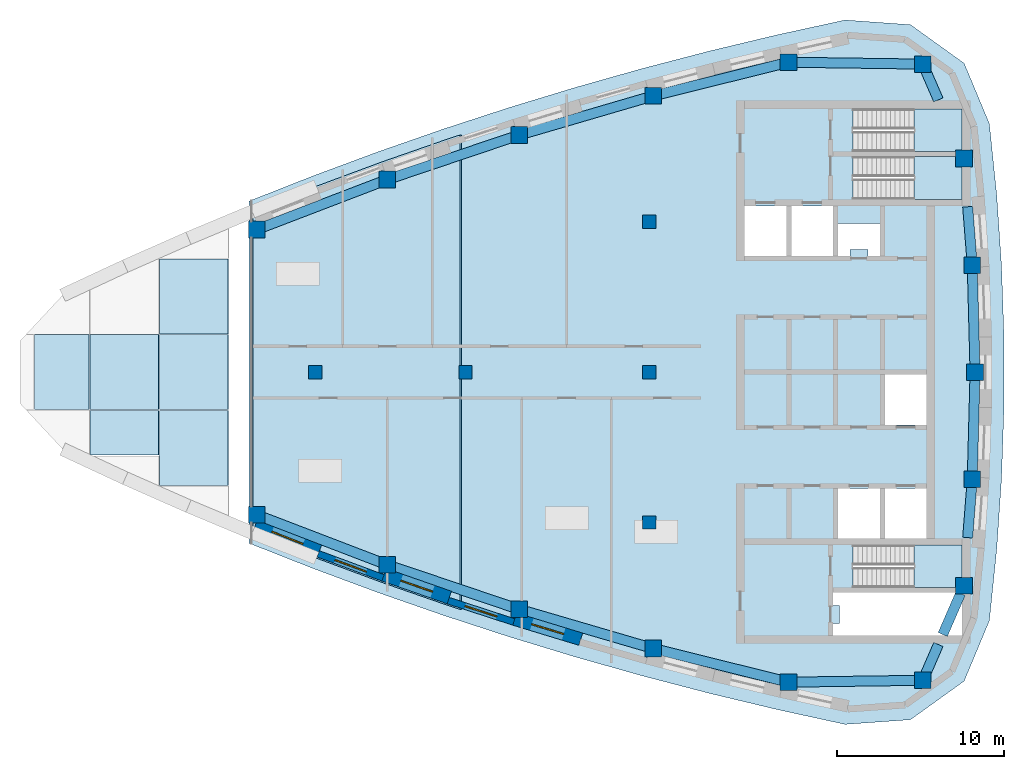
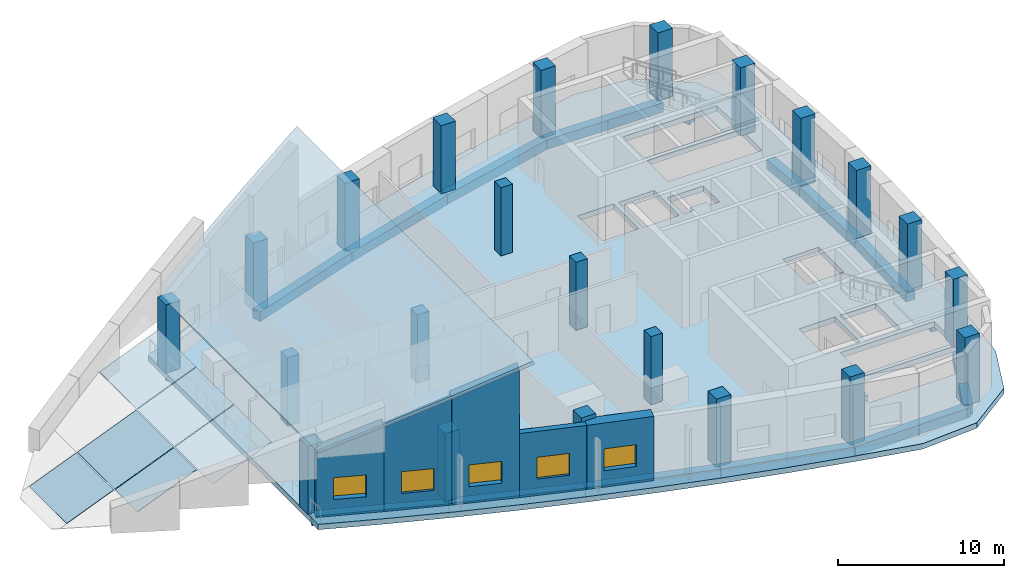
# One storey, part 1 of 8: 22 columns, 17 beams, 6 plates, 5 slabs, 5 walls, 5 windows, 7 openings, 6 elements without a shape of their own.
"""IFC4 building model written with IfcOpenShell, lengths in metres."""

from ifc_helpers import new_model, si_unit, direction, frame, frame_2d, origin, origin_2d, place, context, subcontext, project, spatial, polyline, rectangle, outline, extrude, material, layer, layer_set, material_profile, profile_set, type_object, element, fill, aggregate, save


model = new_model("IFC4")

# Units and contexts
model_context = context("Model", 3, precision=1e-05, world=origin(), true_north=direction((0.0, 1.0)))
body_context = subcontext(model_context, "Body", "Model", "MODEL_VIEW")
ifc_project = project(units=[si_unit("LENGTHUNIT", "METRE"), si_unit("AREAUNIT", "SQUARE_METRE"), si_unit("VOLUMEUNIT", "CUBIC_METRE"), si_unit("PLANEANGLEUNIT", "RADIAN"), si_unit("MASSUNIT", "GRAM", prefix="KILO")], contexts=[model_context])

# Site, building, storey
site_placement = place(None, origin())
site = spatial("IfcSite", under=ifc_project, at=site_placement, CompositionType="ELEMENT")
building_placement = place(site_placement, origin())
building = spatial("IfcBuilding", under=site, at=building_placement, Name="Ostrand Prow Hotel Tower", CompositionType="ELEMENT")
storey_placement = place(building_placement, frame((0.0, 0.0, 327.39990234375)))
storey = spatial("IfcBuildingStorey", under=building, at=storey_placement, Name="C5", CompositionType="ELEMENT", Elevation=327.39990234375)

# Columns
ifc_material_1 = material(Name="Concrete C40/50", Category="concrete")
ifc_material_profile_1 = material_profile(ifc_material_1, rectangle(XDim=0.800048828125, YDim=0.800048828125, at=origin_2d()), Name="RC 800x800")
ifc_profile_set_1 = profile_set([ifc_material_profile_1], Name="Concrete C40/50")
column_type_1 = type_object("IfcColumnType", Name="Interior column 800x800 C40/50", PredefinedType="COLUMN", material=ifc_profile_set_1)
for number, where, z_axis, x_axis, name in (
    (1, (25.0, 0.0, 0.0), (0.0, 0.0, 1.0), (1.0, 0.0, 0.0), "Interior column 25C0"),
    (2, (34.0, 0.0, 0.0), (0.0, 0.0, 1.0), (1.0, 0.0, 0.0), "Interior column 34C0"),
    (3, (45.0, -9.0, 0.0), (0.0, 0.0, 1.0), (1.0, 0.0, 0.0), "Interior column 45S9"),
    (4, (45.0, 0.0, 0.0), (0.0, 0.0, 1.0), (1.0, 0.0, 0.0), "Interior column 45C0"),
    (5, (45.0, 9.0, 0.0), (0.0, 0.0, 1.0), (1.0, 0.0, 0.0), "Interior column 45N9"),
):
    element("IfcColumn", number, at=place(storey_placement, frame(where, z_axis=z_axis, x_axis=x_axis)), inside=storey, type_object=column_type_1, Name=name, PredefinedType="COLUMN", context=body_context, shape_type="SweptSolid", body=[
        extrude(rectangle(XDim=0.800048828125, YDim=0.800048828125, at=origin_2d()), origin(), (0.0, 0.0, 1.0), 5.0),
    ])
ifc_material_2 = material(Name="Concrete C40/50", Category="concrete")
ifc_material_profile_2 = material_profile(ifc_material_2, rectangle(XDim=1.0, YDim=1.0, at=origin_2d()), Name="RC 1000x1000")
ifc_profile_set_2 = profile_set([ifc_material_profile_2], Name="Concrete C40/50")
column_type_2 = type_object("IfcColumnType", Name="Stone-faced mega column 1000x1000 C40/50", PredefinedType="COLUMN", material=ifc_profile_set_2)
for number, where, z_axis, x_axis, name in (
    (6, (21.51416015625, -8.5400390625, 0.0), (0.0, 0.0, 1.0), (1.0, 0.0, 0.0), "Mega column S2"),
    (7, (29.31005859375, -11.528076171875, 0.0), (0.0, 0.0, 1.0), (1.0, 0.0, 0.0), "Mega column S3"),
    (8, (37.22119140625, -14.19580078125, 0.0), (0.0, 0.0, 1.0), (1.0, 0.0, 0.0), "Mega column S4"),
    (9, (45.234619140625, -16.53857421875, 0.0), (0.0, 0.0, 1.0), (1.0, 0.0, 0.0), "Mega column S5"),
    (10, (53.3369140625, -18.552978515625, 0.0), (0.0, 0.0, 1.0), (1.0, 0.0, 0.0), "Mega column S6"),
    (11, (61.374267578125, -18.439697265625, 0.0), (0.0, 0.0, 1.0), (1.0, 0.0, 0.0), "Mega column SE"),
    (12, (63.831787109375, -12.7890625, 0.0), (0.0, 0.0, 1.0), (1.0, 0.0, 0.0), "Mega column B1"),
    (13, (64.332763671875, -6.4033203125, 0.0), (0.0, 0.0, 1.0), (1.0, 0.0, 0.0), "Mega column B2"),
    (14, (64.5, 0.0, 0.0), (0.0, 0.0, 1.0), (1.0, 0.0, 0.0), "Mega column B3"),
    (15, (64.332763671875, 6.4033203125, 0.0), (0.0, 0.0, 1.0), (1.0, 0.0, 0.0), "Mega column B4"),
    (16, (63.831787109375, 12.7890625, 0.0), (0.0, 0.0, 1.0), (1.0, 0.0, 0.0), "Mega column B5"),
    (17, (61.374267578125, 18.439697265625, 0.0), (0.0, 0.0, 1.0), (1.0, 0.0, 0.0), "Mega column NE"),
    (18, (53.3369140625, 18.552978515625, 0.0), (0.0, 0.0, 1.0), (1.0, 0.0, 0.0), "Mega column N1"),
    (19, (45.234619140625, 16.53857421875, 0.0), (0.0, 0.0, 1.0), (1.0, 0.0, 0.0), "Mega column N2"),
    (20, (37.22119140625, 14.19580078125, 0.0), (0.0, 0.0, 1.0), (1.0, 0.0, 0.0), "Mega column N3"),
    (21, (29.31005859375, 11.528076171875, 0.0), (0.0, 0.0, 1.0), (1.0, 0.0, 0.0), "Mega column N4"),
    (22, (21.51416015625, 8.5400390625, 0.0), (0.0, 0.0, 1.0), (1.0, 0.0, 0.0), "Mega column N5"),
):
    element("IfcColumn", number, at=place(storey_placement, frame(where, z_axis=z_axis, x_axis=x_axis)), inside=storey, type_object=column_type_2, Name=name, PredefinedType="COLUMN", context=body_context, shape_type="SweptSolid", body=[
        extrude(rectangle(XDim=1.0, YDim=1.0, at=origin_2d()), origin(), (0.0, 0.0, 1.0), 5.0),
    ])

# Beams
ifc_material_3 = material(Name="Concrete C40/50", Category="concrete")
ifc_material_profile_3 = material_profile(ifc_material_3, rectangle(XDim=0.60009765625, YDim=0.699951171875, at=origin_2d()), Name="RC 600x700")
ifc_profile_set_3 = profile_set([ifc_material_profile_3], Name="Concrete C40/50")
beam_type = type_object("IfcBeamType", Name="Edge beam 600x700 C40/50", PredefinedType="SPANDREL", material=ifc_profile_set_3)
for number, where, z_axis, x_axis, name in (
    (23, (21.51416015625, -8.5400390625, -0.75), (0.933761753797, -0.357895218111, 0.0), (0.357895218111, 0.933761753797, 0.0), "Edge beam S2-S3"),
    (24, (29.31005859375, -11.528076171875, -0.75), (0.947575089419, -0.319533174981, 0.0), (0.319533174981, 0.947575089419, 0.0), "Edge beam S3-S4"),
    (25, (37.22119140625, -14.19580078125, -0.75), (0.959821966031, -0.280609681809, 0.0), (0.280609681809, 0.959821966031, 0.0), "Edge beam S4-S5"),
    (26, (45.234619140625, -16.53857421875, -0.75), (0.970456465292, -0.241276291775, 0.0), (0.241276291775, 0.970456465292, 0.0), "Edge beam S5-S6"),
):
    element("IfcBeam", number, at=place(storey_placement, frame(where, z_axis=z_axis, x_axis=x_axis)), inside=storey, type_object=beam_type, Name=name, PredefinedType="SPANDREL", context=body_context, shape_type="SweptSolid", body=[
        extrude(rectangle(XDim=0.60009765625, YDim=0.699951171875, at=origin_2d()), origin(), (0.0, 0.0, 1.0), 8.348876953125),
    ])
beam_1_placement = place(storey_placement, frame((53.3369140625, -18.552978515625, -0.75), z_axis=(0.999900689486, 0.014092947356, 0.0), x_axis=(-0.014092947356, 0.999900689486, 0.0)))
element("IfcBeam", 27, at=beam_1_placement, inside=storey, type_object=beam_type, Name="Edge beam S6-SE", PredefinedType="SPANDREL", context=body_context, shape_type="SweptSolid", body=[
    extrude(rectangle(XDim=0.60009765625, YDim=0.699951171875, at=origin_2d()), origin(), (0.0, 0.0, 1.0), 8.0380859375),
])
beam_2_placement = place(storey_placement, frame((61.374267578125, -18.439697265625, -0.75), z_axis=(0.398863844187, 0.91701016014, 0.0), x_axis=(-0.91701016014, 0.398863844187, 0.0)))
element("IfcBeam", 28, at=beam_2_placement, inside=storey, type_object=beam_type, Name="Edge beam SE-B1", PredefinedType="SPANDREL", context=body_context, shape_type="SweptSolid", body=[
    extrude(rectangle(XDim=0.60009765625, YDim=0.699951171875, at=origin_2d()), origin(), (0.0, 0.0, 1.0), 2.333251953125),
])
beam_3_placement = place(storey_placement, frame((62.56591796875, -15.699951171875, -0.75), z_axis=(0.398799624102, 0.917038090712, 0.0), x_axis=(-0.917038090712, 0.398799624102, 0.0)))
element("IfcBeam", 29, at=beam_3_placement, inside=storey, type_object=beam_type, Name="Edge beam SE-B1", PredefinedType="SPANDREL", context=body_context, shape_type="SweptSolid", body=[
    extrude(rectangle(XDim=0.60009765625, YDim=0.699951171875, at=origin_2d()), origin(), (0.0, 0.0, 1.0), 2.671630859375),
])
beam_4_placement = place(storey_placement, frame((64.058349609375, -9.89990234375, -0.75), z_axis=(0.078240080308, 0.996934546414, 0.0), x_axis=(-0.996934546414, 0.078240080308, 0.0)))
element("IfcBeam", 30, at=beam_4_placement, inside=storey, type_object=beam_type, Name="Edge beam B1-B2", PredefinedType="SPANDREL", context=body_context, shape_type="SweptSolid", body=[
    extrude(rectangle(XDim=0.60009765625, YDim=0.699951171875, at=origin_2d()), origin(), (0.0, 0.0, 1.0), 3.50732421875),
])
for number, where, z_axis, x_axis, name in (
    (31, (64.332763671875, -6.4033203125, -0.75), (0.026108223987, 0.999659122221, 0.0), (-0.999659122221, 0.026108223987, 0.0), "Edge beam B2-B3"),
    (32, (64.5, 0.0, -0.75), (-0.026108223987, 0.999659122221, 0.0), (-0.999659122221, -0.026108223987, 0.0), "Edge beam B3-B4"),
):
    element("IfcBeam", number, at=place(storey_placement, frame(where, z_axis=z_axis, x_axis=x_axis)), inside=storey, type_object=beam_type, Name=name, PredefinedType="SPANDREL", context=body_context, shape_type="SweptSolid", body=[
        extrude(rectangle(XDim=0.60009765625, YDim=0.699951171875, at=origin_2d()), origin(), (0.0, 0.0, 1.0), 6.405517578125),
    ])
beam_5_placement = place(storey_placement, frame((64.332763671875, 6.4033203125, -0.75), z_axis=(-0.078240080308, 0.996934546414, 0.0), x_axis=(-0.996934546414, -0.078240080308, 0.0)))
element("IfcBeam", 33, at=beam_5_placement, inside=storey, type_object=beam_type, Name="Edge beam B4-B5", PredefinedType="SPANDREL", context=body_context, shape_type="SweptSolid", body=[
    extrude(rectangle(XDim=0.60009765625, YDim=0.699951171875, at=origin_2d()), origin(), (0.0, 0.0, 1.0), 3.50732421875),
])
beam_6_placement = place(storey_placement, frame((62.304931640625, 16.300048828125, -0.75), z_axis=(-0.398863844187, 0.91701016014, 0.0), x_axis=(-0.91701016014, -0.398863844187, 0.0)))
element("IfcBeam", 34, at=beam_6_placement, inside=storey, type_object=beam_type, Name="Edge beam B5-NE", PredefinedType="SPANDREL", context=body_context, shape_type="SweptSolid", body=[
    extrude(rectangle(XDim=0.60009765625, YDim=0.699951171875, at=origin_2d()), origin(), (0.0, 0.0, 1.0), 2.333251953125),
])
beam_7_placement = place(storey_placement, frame((61.374267578125, 18.439697265625, -0.75), z_axis=(-0.999900689486, 0.014092947356, 0.0), x_axis=(-0.014092947356, -0.999900689486, 0.0)))
element("IfcBeam", 35, at=beam_7_placement, inside=storey, type_object=beam_type, Name="Edge beam NE-N1", PredefinedType="SPANDREL", context=body_context, shape_type="SweptSolid", body=[
    extrude(rectangle(XDim=0.60009765625, YDim=0.699951171875, at=origin_2d()), origin(), (0.0, 0.0, 1.0), 8.0380859375),
])
for number, where, z_axis, x_axis, name in (
    (36, (53.3369140625, 18.552978515625, -0.75), (-0.970456465292, -0.241276291775, 0.0), (0.241276291775, -0.970456465292, 0.0), "Edge beam N1-N2"),
    (37, (45.234619140625, 16.53857421875, -0.75), (-0.959821966031, -0.280609681809, 0.0), (0.280609681809, -0.959821966031, 0.0), "Edge beam N2-N3"),
    (38, (37.22119140625, 14.19580078125, -0.75), (-0.947575089419, -0.319533174981, 0.0), (0.319533174981, -0.947575089419, 0.0), "Edge beam N3-N4"),
    (39, (29.31005859375, 11.528076171875, -0.75), (-0.933761753797, -0.357895218111, 0.0), (0.357895218111, -0.933761753797, 0.0), "Edge beam N4-N5"),
):
    element("IfcBeam", number, at=place(storey_placement, frame(where, z_axis=z_axis, x_axis=x_axis)), inside=storey, type_object=beam_type, Name=name, PredefinedType="SPANDREL", context=body_context, shape_type="SweptSolid", body=[
        extrude(rectangle(XDim=0.60009765625, YDim=0.699951171875, at=origin_2d()), origin(), (0.0, 0.0, 1.0), 8.348876953125),
    ])

# Curtain wall, plates
ifc_material_4 = material(Name="Insulated glass in bronze anodised frame", Category="glass")
ifc_layer_1 = layer(ifc_material_4, 0.0400390625)
ifc_layer_set_1 = layer_set([ifc_layer_1], Name="Insulated glass in bronze anodised frame")
curtain_wall_type = type_object("IfcCurtainWallType", Name="Crown slanted glazing system", PredefinedType="NOTDEFINED", material=ifc_layer_set_1)
curtain_wall_1_placement = place(storey_placement, origin())
curtain_wall_1 = element("IfcCurtainWall", 40, at=curtain_wall_1_placement, inside=storey, type_object=curtain_wall_type, Name="CW5 run 2", PredefinedType="NOTDEFINED")
ifc_material_5 = material(Name="Ceramic-fritted glass", Category="glass")
ifc_layer_2 = layer(ifc_material_5, 0.0400390625)
ifc_layer_set_2 = layer_set([ifc_layer_2], Name="Ceramic-fritted glass")
plate_type_1 = type_object("IfcPlateType", Name="Crown glazing panel 40 mm", PredefinedType="CURTAIN_PANEL", material=ifc_layer_set_2)
plate_1_placement = place(storey_placement, frame((15.6328125, -4.970458984375, 2.715576171875), z_axis=(-0.37455046405, 0.0, 0.927206530326), x_axis=(0.0, 1.0, 0.0)))
plate_1 = element("IfcPlate", 41, at=plate_1_placement, type_object=plate_type_1, Name="CW5 panel 2.4", PredefinedType="CURTAIN_PANEL", context=body_context, shape_type="SweptSolid", body=[
    extrude(outline(polyline([(0.0, 0.0), (2.6748046875, 0.0), (2.6748046875, 4.433048547504735), (0.0, 4.433048547504735), (0.0, 0.0)])), origin(), (0.0, 0.0, -1.0), 0.0400390625),
])
plate_2_placement = place(storey_placement, frame((11.5224609375, -2.24560546875, 1.05517578125), z_axis=(-0.37455046405, 0.0, 0.927206530326), x_axis=(0.927206530326, 0.0, 0.37455046405)))
plate_2 = element("IfcPlate", 42, at=plate_2_placement, type_object=plate_type_1, Name="CW5 panel 2.5", PredefinedType="CURTAIN_PANEL", context=body_context, shape_type="SweptSolid", body=[
    extrude(outline(polyline([(0.0, 0.0), (4.433048547504735, 0.0), (4.433048547504735, 4.4912109375), (0.0, 4.4912109375), (0.0, 0.0)])), origin(), (0.0, 0.0, -1.0), 0.0400390625),
])
aggregate(curtain_wall_1, [plate_1, plate_2])

curtain_wall_2_placement = place(storey_placement, origin())
curtain_wall_2 = element("IfcCurtainWall", 43, at=curtain_wall_2_placement, inside=storey, type_object=curtain_wall_type, Name="CW5 run 3", PredefinedType="NOTDEFINED")
plate_3_placement = place(storey_placement, frame((15.682861328125, -6.787109375, 2.73583984375), z_axis=(-0.374597809374, 0.0, 0.927187403502), x_axis=(0.927187403502, 0.0, 0.374597809374)))
plate_3 = element("IfcPlate", 44, at=plate_3_placement, type_object=plate_type_1, Name="CW5 panel 3.4", PredefinedType="CURTAIN_PANEL", context=body_context, shape_type="SweptSolid", body=[
    extrude(outline(polyline([(0.0, 0.0), (4.4331399962686415, 0.0), (4.4331399962686415, 4.491455078125001), (0.0, 4.491455078125001), (0.0, 0.0)])), origin(), (0.0, 0.0, -1.0), 0.0400390625),
])
plate_4_placement = place(storey_placement, frame((15.682861328125, -2.24560546875, 2.73583984375), z_axis=(-0.374597809374, 0.0, 0.927187403502), x_axis=(0.927187403502, 0.0, 0.374597809374)))
plate_4 = element("IfcPlate", 45, at=plate_4_placement, type_object=plate_type_1, Name="CW5 panel 3.5", PredefinedType="CURTAIN_PANEL", context=body_context, shape_type="SweptSolid", body=[
    extrude(outline(polyline([(0.0, 0.0), (4.4331399962686415, 0.0), (4.4331399962686415, 4.491210937500001), (0.0, 4.491210937500001), (0.0, 0.0)])), origin(), (0.0, 0.0, -1.0), 0.0400390625),
])
plate_5_placement = place(storey_placement, frame((15.682861328125, 2.295654296875, 2.73583984375), z_axis=(-0.374597809374, 0.0, 0.927187403502), x_axis=(0.927187403502, 0.0, 0.374597809374)))
plate_5 = element("IfcPlate", 46, at=plate_5_placement, type_object=plate_type_1, Name="CW5 panel 3.6", PredefinedType="CURTAIN_PANEL", context=body_context, shape_type="SweptSolid", body=[
    extrude(outline(polyline([(0.0, 0.0), (4.4331399962686415, 0.0), (4.4331399962686415, 4.491455078125001), (0.0, 4.491455078125001), (0.0, 0.0)])), origin(), (0.0, 0.0, -1.0), 0.0400390625),
])
aggregate(curtain_wall_2, [plate_3, plate_4, plate_5])

# Slab
ifc_material_6 = material(Name="Precast concrete C40/50", Category="concrete")
ifc_layer_3 = layer(ifc_material_6, 0.300048828125)
ifc_layer_set_3 = layer_set([ifc_layer_3], Name="Precast concrete C40/50")
slab_type_1 = type_object("IfcSlabType", Name="Crown roof deck 300 mm", PredefinedType="ROOF", material=ifc_layer_set_3)
slab_1_placement = place(storey_placement, frame((32.87451171875, -13.935791015625, 9.641357421875), z_axis=(-0.3745874372, 0.0, 0.92719159395), x_axis=(0.887489795983, -0.289491485374, 0.358547823759)))
element("IfcSlab", 47, at=slab_1_placement, inside=storey, type_object=slab_type_1, Name="Crown roof deck C5.1", PredefinedType="ROOF", context=body_context, shape_type="SweptSolid", body=[
    extrude(outline(polyline([(0.0, 0.0), (0.8888835483969642, 1.3877787807814457e-17), (-7.3286884741718, 27.170748798641636), (-8.068585681951452, 26.67813730412425), (-11.708275480422955, 24.154095423827947), (-15.295954576335628, 21.56441890304686), (-18.785523103917022, 18.943200188252558), (-13.207299233157046, 0.49924629058687153), (-8.849963015775193, 0.2512601051513427), (-4.4284410135043375, 0.08390132597221991), (0.0, 0.0)])), origin(), (0.0, 0.0, -1.0), 0.300048828125),
])

# Curtain wall, plate
curtain_wall_3_placement = place(storey_placement, origin())
curtain_wall_3 = element("IfcCurtainWall", 48, at=curtain_wall_3_placement, inside=storey, type_object=curtain_wall_type, Name="CW5 run 1", PredefinedType="NOTDEFINED")
ifc_material_7 = material(Name="Ceramic-fritted glass", Category="glass")
ifc_layer_4 = layer(ifc_material_7, 0.031982421875)
ifc_layer_set_4 = layer_set([ifc_layer_4], Name="Ceramic-fritted glass")
plate_type_2 = type_object("IfcPlateType", Name="Dot-fritted ceramic glass unit 32 mm", PredefinedType="CURTAIN_PANEL", material=ifc_layer_set_4)
plate_6_placement = place(storey_placement, frame((11.472412109375, -2.24560546875, 1.034912109375), z_axis=(-0.374590912963, 0.0, 0.927190189727), x_axis=(0.0, 1.0, 0.0)))
plate_6 = element("IfcPlate", 49, at=plate_6_placement, type_object=plate_type_2, Name="CW5 panel 1.5", PredefinedType="CURTAIN_PANEL", context=body_context, shape_type="SweptSolid", body=[
    extrude(outline(polyline([(0.0, 0.0), (4.4912109375, 0.0), (4.4912109375, 3.5357581959168005), (0.0, 3.5357581959168005), (0.0, 0.0)])), origin(), (0.0, 0.0, -1.0), 0.0400390625),
])
aggregate(curtain_wall_3, [plate_6])

# Slab, openings
ifc_material_8 = material(Name="Concrete C40/50", Category="concrete")
ifc_layer_5 = layer(ifc_material_8, 0.39990234375)
ifc_layer_set_5 = layer_set([ifc_layer_5], Name="Concrete C40/50")
slab_type_2 = type_object("IfcSlabType", Name="PT flat plate 400 C40/50", PredefinedType="FLOOR", material=ifc_layer_set_5)
slab_2_placement = place(storey_placement, frame((0.0, 0.0, -0.39990234375)))
slab_2 = element("IfcSlab", 50, at=slab_2_placement, inside=storey, type_object=slab_type_2, Name="Floor slab C5-1", PredefinedType="FLOOR", context=body_context, shape_type="SweptSolid", body=[
    extrude(outline(polyline([(24.855224609375, 11.740234375), (28.746826171875, 13.185302734375), (32.666748046875, 14.551513671875), (36.61328125, 15.8388671875), (40.5849609375, 17.046630859375), (44.580078125, 18.17431640625), (48.596923828125, 19.221435546875), (52.634033203125, 20.187744140625), (56.72265625, 21.07958984375), (60.634765625, 20.80029296875), (63.84765625, 18.49072265625), (65.35888671875, 14.87060546875), (65.796875, 10.611083984375), (66.0869140625, 6.37158203125), (66.23193359375, 2.124755859375), (66.23193359375, -2.124755859375), (66.0869140625, -6.37158203125), (65.796875, -10.611083984375), (65.35888671875, -14.87060546875), (63.84765625, -18.49072265625), (60.634765625, -20.80029296875), (56.72265625, -21.07958984375), (52.634033203125, -20.187744140625), (48.596923828125, -19.221435546875), (44.580078125, -18.17431640625), (40.5849609375, -17.046630859375), (36.61328125, -15.8388671875), (32.666748046875, -14.551513671875), (28.746826171875, -13.185302734375), (24.855224609375, -11.740234375), (21.037109375, -10.234619140625), (21.037109375, 10.234619140625), (24.855224609375, 11.740234375)]), holes=[polyline([(50.699951171875, 6.949951171875), (53.199951171875, 6.949951171875), (53.199951171875, 9.949951171875), (50.699951171875, 9.949951171875), (50.699951171875, 6.949951171875)]), polyline([(53.5, 6.949951171875), (56.0, 6.949951171875), (56.0, 9.949951171875), (53.5, 9.949951171875), (53.5, 6.949951171875)]), polyline([(59.10009765625, -3.14990234375), (61.60009765625, -3.14990234375), (61.60009765625, -0.14990234375), (59.10009765625, -0.14990234375), (59.10009765625, -3.14990234375)]), polyline([(56.300048828125, -9.949951171875), (58.800048828125, -9.949951171875), (58.800048828125, -6.949951171875), (56.300048828125, -6.949951171875), (56.300048828125, -9.949951171875)]), polyline([(59.10009765625, -9.949951171875), (61.60009765625, -9.949951171875), (61.60009765625, -6.949951171875), (59.10009765625, -6.949951171875), (59.10009765625, -9.949951171875)]), polyline([(57.200927734375, 10.35107421875), (57.200927734375, 12.89892578125), (63.718994140625, 12.89892578125), (63.718994140625, 10.35107421875), (57.200927734375, 10.35107421875)]), polyline([(57.200927734375, 13.200927734375), (57.200927734375, 15.7490234375), (63.718994140625, 15.7490234375), (63.718994140625, 13.200927734375), (57.200927734375, 13.200927734375)]), polyline([(57.200927734375, -12.89892578125), (57.200927734375, -10.35107421875), (63.718994140625, -10.35107421875), (63.718994140625, -12.89892578125), (57.200927734375, -12.89892578125)]), polyline([(58.800048828125, 6.949951171875), (58.10009765625, 6.949951171875), (58.10009765625, 7.35009765625), (57.0, 7.35009765625), (57.0, 6.949951171875), (56.300048828125, 6.949951171875), (56.300048828125, 8.889892578125), (58.800048828125, 8.889892578125), (58.800048828125, 6.949951171875)]), polyline([(56.0, -15.75), (56.0, -15.050048828125), (56.39990234375, -15.050048828125), (56.39990234375, -13.949951171875), (56.0, -13.949951171875), (56.0, -13.199951171875), (63.719970703125, -13.199951171875), (63.719970703125, -15.75), (56.0, -15.75)])]), origin(), (0.0, 0.0, 1.0), 0.39990234375),
])
opening_1_placement = place(slab_2_placement, origin())
element("IfcOpeningElement", 51, at=opening_1_placement, cuts=slab_2, Name="Shaft opening 1", PredefinedType="OPENING", context=body_context, shape_type="SweptSolid", body=[
    extrude(outline(polyline([(58.800048828125, 6.949951171875), (58.10009765625, 6.949951171875), (58.10009765625, 7.35009765625), (57.0, 7.35009765625), (57.0, 6.949951171875), (56.300048828125, 6.949951171875), (56.300048828125, 8.889892578125), (58.800048828125, 8.889892578125), (58.800048828125, 6.949951171875)])), origin(), (0.0, 0.0, 1.0), 0.39990234375),
])
opening_2_placement = place(slab_2_placement, origin())
element("IfcOpeningElement", 52, at=opening_2_placement, cuts=slab_2, Name="Shaft opening 2", PredefinedType="OPENING", context=body_context, shape_type="SweptSolid", body=[
    extrude(outline(polyline([(56.0, -15.75), (56.0, -15.050048828125), (56.39990234375, -15.050048828125), (56.39990234375, -13.949951171875), (56.0, -13.949951171875), (56.0, -13.199951171875), (63.719970703125, -13.199951171875), (63.719970703125, -15.75), (56.0, -15.75)])), origin(), (0.0, 0.0, 1.0), 0.39990234375),
])

# Stair, slab
ifc_material_9 = material(Name="Concrete C40/50", Category="concrete")
stair_type = type_object("IfcStairType", Name="Exit stair 1200 upper zone", PredefinedType="HALF_TURN_STAIR", material=ifc_material_9)
stair_1_placement = place(storey_placement, origin())
stair_1 = element("IfcStair", 53, at=stair_1_placement, inside=storey, type_object=stair_type, Name="C5 ST1C", PredefinedType="HALF_TURN_STAIR")
ifc_material_10 = material(Name="Concrete C40/50", Category="concrete")
ifc_layer_6 = layer(ifc_material_10, 0.199951171875)
ifc_layer_set_6 = layer_set([ifc_layer_6], Name="Concrete C40/50")
slab_type_3 = type_object("IfcSlabType", Name="Stair landing 200 concrete", PredefinedType="LANDING", material=ifc_layer_set_6)
slab_3_placement = place(storey_placement, frame((0.0, 0.0, 2.300048828125)))
slab_3 = element("IfcSlab", 54, at=slab_3_placement, type_object=slab_type_3, Name="ST1C landing 1", PredefinedType="LANDING", context=body_context, shape_type="SweptSolid", body=[
    extrude(outline(polyline([(60.840087890625, 10.35009765625), (63.719970703125, 10.35009765625), (63.719970703125, 12.89990234375), (60.840087890625, 12.89990234375), (60.840087890625, 10.35009765625)])), origin(), (0.0, 0.0, 1.0), 0.199951171875),
])
aggregate(stair_1, [slab_3])

stair_2_placement = place(storey_placement, origin())
stair_2 = element("IfcStair", 55, at=stair_2_placement, inside=storey, type_object=stair_type, Name="C5 ST3C", PredefinedType="HALF_TURN_STAIR")
slab_4_placement = place(storey_placement, frame((0.0, 0.0, 2.300048828125)))
slab_4 = element("IfcSlab", 56, at=slab_4_placement, type_object=slab_type_3, Name="ST3C landing 1", PredefinedType="LANDING", context=body_context, shape_type="SweptSolid", body=[
    extrude(outline(polyline([(60.840087890625, 13.199951171875), (63.719970703125, 13.199951171875), (63.719970703125, 15.75), (60.840087890625, 15.75), (60.840087890625, 13.199951171875)])), origin(), (0.0, 0.0, 1.0), 0.199951171875),
])
aggregate(stair_2, [slab_4])

stair_3_placement = place(storey_placement, origin())
stair_3 = element("IfcStair", 57, at=stair_3_placement, inside=storey, type_object=stair_type, Name="C5 ST2C", PredefinedType="HALF_TURN_STAIR")
slab_5_placement = place(storey_placement, frame((0.0, 0.0, 2.300048828125)))
slab_5 = element("IfcSlab", 58, at=slab_5_placement, type_object=slab_type_3, Name="ST2C landing 1", PredefinedType="LANDING", context=body_context, shape_type="SweptSolid", body=[
    extrude(outline(polyline([(60.840087890625, -12.89990234375), (63.719970703125, -12.89990234375), (63.719970703125, -10.35009765625), (60.840087890625, -10.35009765625), (60.840087890625, -12.89990234375)])), origin(), (0.0, 0.0, 1.0), 0.199951171875),
])
aggregate(stair_3, [slab_5])

# Wall, opening, window
ifc_material_11 = material(Name="Precast concrete C40/50", Category="concrete")
ifc_layer_7 = layer(ifc_material_11, 0.39990234375)
ifc_layer_set_7 = layer_set([ifc_layer_7], Name="Precast concrete C40/50")
wall_type = type_object("IfcWallType", Name="Stone-faced precast wall 400 mm", PredefinedType="NOTDEFINED", material=ifc_layer_set_7)
wall_1_placement = place(storey_placement, frame((21.422119140625, -9.156005859375, 0.0), z_axis=(0.0, 0.0, 1.0), x_axis=(0.930294795216, -0.366812750587, 0.0)))
wall_1 = element("IfcWall", 59, at=wall_1_placement, inside=storey, type_object=wall_type, Name="Crown side wall C5 7", PredefinedType="NOTDEFINED", context=body_context, shape_type="SweptSolid", body=[
    extrude(outline(polyline([(0.0, 0.0), (4.132568359375, 0.0), (4.132568359375, 6.23583984375), (0.0, 4.682861328125), (0.0, 0.0)])), frame((0.0, 0.414794921875, 0.0), z_axis=(0.0, -1.0, 0.0), x_axis=(1.0, 0.0, 0.0)), (0.0, 0.0, 1.0), 0.82958984375),
])
opening_3_placement = place(wall_1_placement, frame((1.06640625, 0.0, 1.199951171875)))
opening_3 = element("IfcOpeningElement", 60, at=opening_3_placement, cuts=wall_1, Name="Opening WV1", PredefinedType="OPENING", context=body_context, shape_type="SweptSolid", body=[
    extrude(rectangle(XDim=2.0, YDim=1.60009765625, at=frame_2d((1.0, 0.800048828125))), frame((0.0, 0.4248046875, 0.0), z_axis=(0.0, -1.0, 0.0), x_axis=(1.0, 0.0, 0.0)), (0.0, 0.0, 1.0), 0.849609375),
])
ifc_material_12 = material(Name="Bronze anodised aluminium louvre", Category="aluminium")
window_type = type_object("IfcWindowType", Name="Louvre vent 2000x1600", PartitioningType="SINGLE_PANEL", PredefinedType="WINDOW", material=ifc_material_12)
window_1_placement = place(opening_3_placement, origin())
window_1 = element("IfcWindow", 61, at=window_1_placement, inside=storey, type_object=window_type, Name="Louvre vent 7.1", OverallHeight=1.60009765625, OverallWidth=2.0, PartitioningType="SINGLE_PANEL", PredefinedType="WINDOW", context=body_context, shape_type="SweptSolid", body=[
    extrude(rectangle(XDim=2.0, YDim=1.60009765625, at=frame_2d((1.0, 0.800048828125))), frame((0.0, 0.030029296875, 0.0), z_axis=(0.0, -1.0, 0.0), x_axis=(1.0, 0.0, 0.0)), (0.0, 0.0, 1.0), 0.06005859375),
])
fill(opening_3, window_1)

wall_2_placement = place(storey_placement, frame((25.187744140625, -10.87158203125, 0.0), z_axis=(0.0, 0.0, 1.0), x_axis=(0.937460527937, -0.348091595072, 0.0)))
wall_2 = element("IfcWall", 62, at=wall_2_placement, inside=storey, type_object=wall_type, Name="Crown side wall C5 8", PredefinedType="NOTDEFINED", context=body_context, shape_type="SweptSolid", body=[
    extrude(outline(polyline([(0.0, 0.0), (4.132568359375, 0.0), (4.132568359375, 7.801025390625), (0.0, 6.23583984375), (0.0, 0.0)])), frame((0.0, 0.199951171875, 0.0), z_axis=(0.0, -1.0, 0.0), x_axis=(1.0, 0.0, 0.0)), (0.0, 0.0, 1.0), 0.39990234375),
])
opening_4_placement = place(wall_2_placement, frame((1.06640625, 0.0, 1.199951171875)))
opening_4 = element("IfcOpeningElement", 63, at=opening_4_placement, cuts=wall_2, Name="Opening WV1", PredefinedType="OPENING", context=body_context, shape_type="SweptSolid", body=[
    extrude(rectangle(XDim=2.0, YDim=1.60009765625, at=frame_2d((1.0, 0.800048828125))), frame((0.0, 0.2099609375, 0.0), z_axis=(0.0, -1.0, 0.0), x_axis=(1.0, 0.0, 0.0)), (0.0, 0.0, 1.0), 0.419921875),
])
window_2_placement = place(opening_4_placement, origin())
window_2 = element("IfcWindow", 64, at=window_2_placement, inside=storey, type_object=window_type, Name="Louvre vent 8.1", OverallHeight=1.60009765625, OverallWidth=2.0, PartitioningType="SINGLE_PANEL", PredefinedType="WINDOW", context=body_context, shape_type="SweptSolid", body=[
    extrude(rectangle(XDim=2.0, YDim=1.60009765625, at=frame_2d((1.0, 0.800048828125))), frame((0.0, 0.030029296875, 0.0), z_axis=(0.0, -1.0, 0.0), x_axis=(1.0, 0.0, 0.0)), (0.0, 0.0, 1.0), 0.06005859375),
])
fill(opening_4, window_2)

wall_3_placement = place(storey_placement, frame((29.12646484375, -12.12451171875, 0.0), z_axis=(0.0, 0.0, 1.0), x_axis=(0.944288592168, -0.329118602788, 0.0)))
wall_3 = element("IfcWall", 65, at=wall_3_placement, inside=storey, type_object=wall_type, Name="Crown side wall C5 9", PredefinedType="NOTDEFINED", context=body_context, shape_type="SweptSolid", body=[
    extrude(outline(polyline([(0.0, 0.0), (4.132568359375, 0.0), (4.132568359375, 9.377685546875), (0.0, 7.801025390625), (0.0, 0.0)])), frame((0.0, 0.396484375, 0.0), z_axis=(0.0, -1.0, 0.0), x_axis=(1.0, 0.0, 0.0)), (0.0, 0.0, 1.0), 0.793212890625),
])
opening_5_placement = place(wall_3_placement, frame((1.06640625, 0.0, 1.199951171875)))
opening_5 = element("IfcOpeningElement", 66, at=opening_5_placement, cuts=wall_3, Name="Opening WV1", PredefinedType="OPENING", context=body_context, shape_type="SweptSolid", body=[
    extrude(rectangle(XDim=2.0, YDim=1.60009765625, at=frame_2d((1.0, 0.800048828125))), frame((0.0, 0.406494140625, 0.0), z_axis=(0.0, -1.0, 0.0), x_axis=(1.0, 0.0, 0.0)), (0.0, 0.0, 1.0), 0.813232421875),
])
window_3_placement = place(opening_5_placement, origin())
window_3 = element("IfcWindow", 67, at=window_3_placement, inside=storey, type_object=window_type, Name="Louvre vent 9.1", OverallHeight=1.60009765625, OverallWidth=2.0, PartitioningType="SINGLE_PANEL", PredefinedType="WINDOW", context=body_context, shape_type="SweptSolid", body=[
    extrude(rectangle(XDim=2.0, YDim=1.60009765625, at=frame_2d((1.0, 0.800048828125))), frame((0.0, 0.030029296875, 0.0), z_axis=(0.0, -1.0, 0.0), x_axis=(1.0, 0.0, 0.0)), (0.0, 0.0, 1.0), 0.06005859375),
])
fill(opening_5, window_3)

wall_4_placement = place(storey_placement, frame((32.964111328125, -13.67041015625, 0.0), z_axis=(0.0, 0.0, 1.0), x_axis=(0.950701822842, -0.310106504356, 0.0)))
wall_4 = element("IfcWall", 68, at=wall_4_placement, inside=storey, type_object=wall_type, Name="Crown side wall C5 10", PredefinedType="NOTDEFINED", context=body_context, shape_type="SweptSolid", body=[
    extrude(rectangle(XDim=4.13232421875, YDim=0.39990234375, at=frame_2d((2.066162109375, 0.0))), origin(), (0.0, 0.0, 1.0), 4.7001953125),
])
opening_6_placement = place(wall_4_placement, frame((1.06640625, 0.0, 1.199951171875)))
opening_6 = element("IfcOpeningElement", 69, at=opening_6_placement, cuts=wall_4, Name="Opening WV1", PredefinedType="OPENING", context=body_context, shape_type="SweptSolid", body=[
    extrude(rectangle(XDim=2.0, YDim=1.60009765625, at=frame_2d((1.0, 0.800048828125))), frame((0.0, 0.2099609375, 0.0), z_axis=(0.0, -1.0, 0.0), x_axis=(1.0, 0.0, 0.0)), (0.0, 0.0, 1.0), 0.419921875),
])
window_4_placement = place(opening_6_placement, origin())
window_4 = element("IfcWindow", 70, at=window_4_placement, inside=storey, type_object=window_type, Name="Louvre vent 10.1", OverallHeight=1.60009765625, OverallWidth=2.0, PartitioningType="SINGLE_PANEL", PredefinedType="WINDOW", context=body_context, shape_type="SweptSolid", body=[
    extrude(rectangle(XDim=2.0, YDim=1.60009765625, at=frame_2d((1.0, 0.800048828125))), frame((0.0, 0.030029296875, 0.0), z_axis=(0.0, -1.0, 0.0), x_axis=(1.0, 0.0, 0.0)), (0.0, 0.0, 1.0), 0.06005859375),
])
fill(opening_6, window_4)

wall_5_placement = place(storey_placement, frame((36.94580078125, -14.77734375, 0.0), z_axis=(0.0, 0.0, 1.0), x_axis=(0.956738247994, -0.290950038368, 0.0)))
wall_5 = element("IfcWall", 71, at=wall_5_placement, inside=storey, type_object=wall_type, Name="Crown side wall C5 11", PredefinedType="NOTDEFINED", context=body_context, shape_type="SweptSolid", body=[
    extrude(rectangle(XDim=4.132568359375, YDim=0.764892578125, at=frame_2d((2.06640625, 0.0))), origin(), (0.0, 0.0, 1.0), 4.7001953125),
])
opening_7_placement = place(wall_5_placement, frame((1.06640625, 0.0, 1.199951171875)))
opening_7 = element("IfcOpeningElement", 72, at=opening_7_placement, cuts=wall_5, Name="Opening WV1", PredefinedType="OPENING", context=body_context, shape_type="SweptSolid", body=[
    extrude(rectangle(XDim=2.0, YDim=1.60009765625, at=frame_2d((1.0, 0.800048828125))), frame((0.0, 0.392333984375, 0.0), z_axis=(0.0, -1.0, 0.0), x_axis=(1.0, 0.0, 0.0)), (0.0, 0.0, 1.0), 0.784912109375),
])
window_5_placement = place(opening_7_placement, origin())
window_5 = element("IfcWindow", 73, at=window_5_placement, inside=storey, type_object=window_type, Name="Louvre vent 11.1", OverallHeight=1.60009765625, OverallWidth=2.0, PartitioningType="SINGLE_PANEL", PredefinedType="WINDOW", context=body_context, shape_type="SweptSolid", body=[
    extrude(rectangle(XDim=2.0, YDim=1.60009765625, at=frame_2d((1.0, 0.800048828125))), frame((0.0, 0.030029296875, 0.0), z_axis=(0.0, -1.0, 0.0), x_axis=(1.0, 0.0, 0.0)), (0.0, 0.0, 1.0), 0.06005859375),
])
fill(opening_7, window_5)

save(model, "model.ifc")
